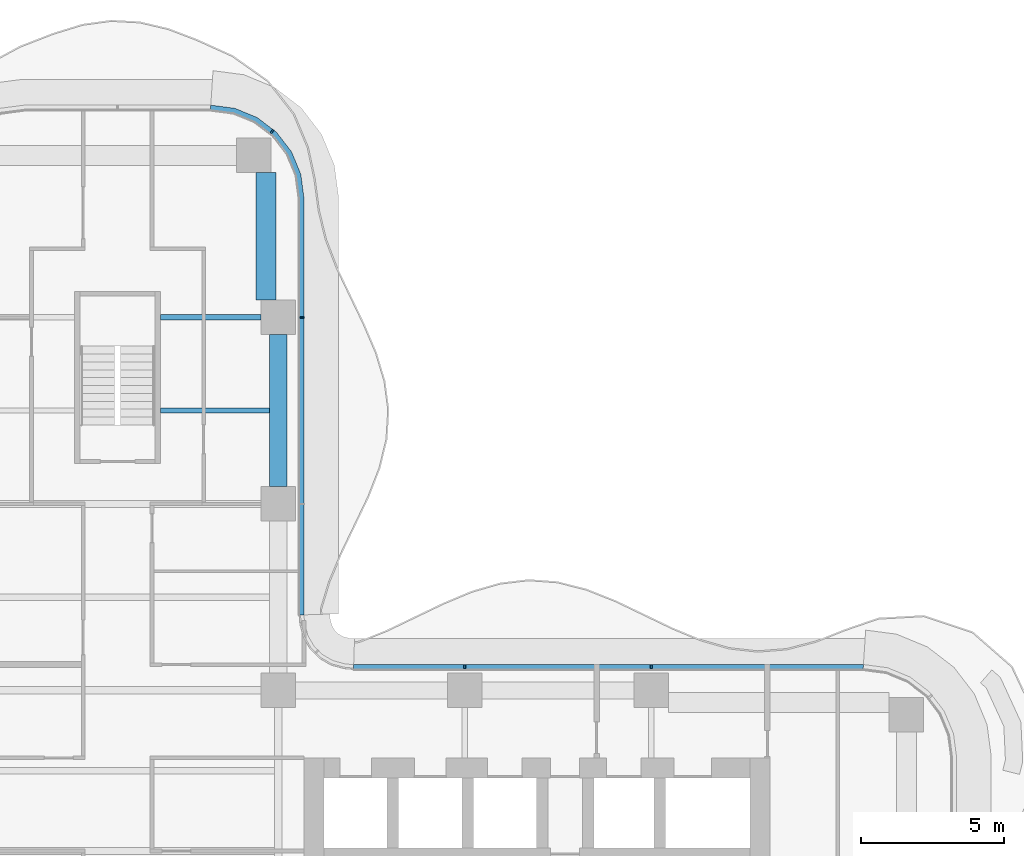
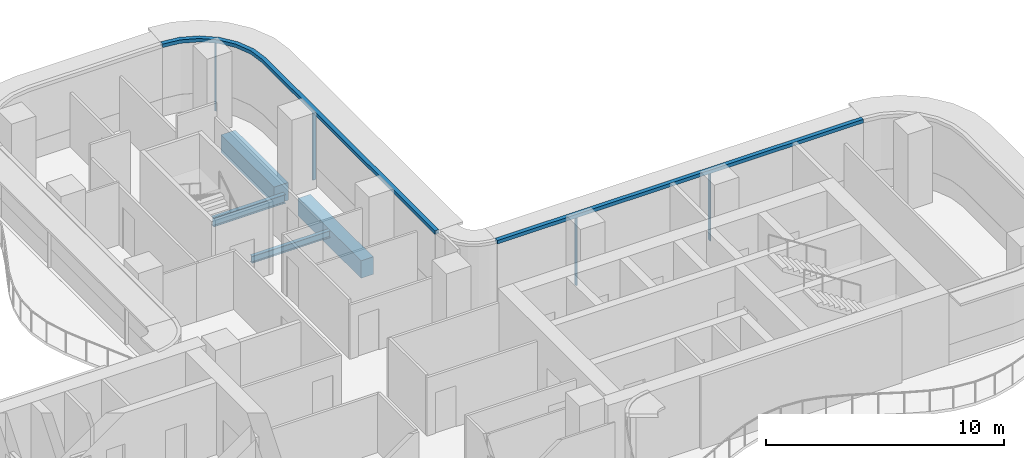
# One storey, part 8 of 18: 6 members, 4 beams, 2 elements without a shape of their own.
"""IFC4 building model written with IfcOpenShell, lengths in metres."""

from ifc_helpers import new_model, si_unit, direction, frame, origin, origin_2d, place, context, subcontext, project, spatial, polyline, rectangle, i_section, outline, extrude, source, transform, mapped, material, layer, layer_set, material_profile, profile_set, type_object, element, aggregate, save


model = new_model("IFC4")

# Units and contexts
model_context = context("Model", 3, precision=1e-05, world=origin(), true_north=direction((0.0, 1.0)))
body_context = subcontext(model_context, "Body", "Model", "MODEL_VIEW")
ifc_project = project(units=[si_unit("LENGTHUNIT", "METRE"), si_unit("AREAUNIT", "SQUARE_METRE"), si_unit("VOLUMEUNIT", "CUBIC_METRE"), si_unit("PLANEANGLEUNIT", "RADIAN"), si_unit("MASSUNIT", "GRAM", prefix="KILO")], contexts=[model_context])

# Site, building, storey
site_placement = place(None, origin())
site = spatial("IfcSite", under=ifc_project, at=site_placement, CompositionType="ELEMENT")
building_placement = place(site_placement, origin())
building = spatial("IfcBuilding", under=site, at=building_placement, Name="Trellis Farm Tower", CompositionType="ELEMENT")
storey_placement = place(building_placement, frame((0.0, 0.0, 177.60009765625)))
storey = spatial("IfcBuildingStorey", under=building, at=storey_placement, Name="L38", CompositionType="ELEMENT", Elevation=177.60009765625)

# Beams
ifc_material_1 = material(Name="Steel S355", Category="steel")
ifc_material_profile_1 = material_profile(ifc_material_1, i_section(OverallWidth=0.1904296875, OverallDepth=0.45703125, WebThickness=0.009033203125, FlangeThickness=0.014404296875, FilletRadius=0.01025390625, at=origin_2d()), Name="UB 457x191x74")
ifc_profile_set_1 = profile_set([ifc_material_profile_1], Name="Steel S355")
beam_type_1 = type_object("IfcBeamType", Name="UB 457x191x74", PredefinedType="BEAM", material=ifc_profile_set_1)
shared_shape_1 = source(origin(), body_context, "Body", "SweptSolid", [
    extrude(i_section(OverallWidth=0.1904296875, OverallDepth=0.45703125, WebThickness=0.009033203125, FlangeThickness=0.014404296875, FilletRadius=0.01025390625, at=origin_2d()), origin(), (0.0, 0.0, 1.0), 3.5),
])
beam_1_placement = place(storey_placement, frame((1.5, 18.60009765625, -0.4287109375), z_axis=(1.0, 0.0, 0.0), x_axis=(0.0, 1.0, 0.0)))
element("IfcBeam", 1, at=beam_1_placement, inside=storey, type_object=beam_type_1, Name="Girder", PredefinedType="BEAM", context=body_context, shape_type="MappedRepresentation", body=[
    mapped(shared_shape_1, transform((0.0, 0.0, 0.0))),
])
ifc_material_2 = material(Name="Concrete C60/75", Category="concrete")
ifc_material_profile_2 = material_profile(ifc_material_2, rectangle(XDim=0.60009765625, YDim=0.89990234375, at=origin_2d()), Name="RC spandrel beam 600x900 C60/75")
ifc_profile_set_2 = profile_set([ifc_material_profile_2], Name="Concrete C60/75")
beam_type_2 = type_object("IfcBeamType", Name="RC spandrel beam 600x900 C60/75", PredefinedType="SPANDREL", material=ifc_profile_set_2)
shared_shape_2 = source(origin(), body_context, "Body", "SweptSolid", [
    extrude(rectangle(XDim=0.60009765625, YDim=0.89990234375, at=origin_2d()), origin(), (0.0, 0.0, 1.0), 5.300048828125),
])
beam_2_placement = place(storey_placement, frame((5.60009765625, 12.699951171875, -0.650146484375), z_axis=(0.0, 1.0, 0.0), x_axis=(-1.0, 0.0, 0.0)))
element("IfcBeam", 2, at=beam_2_placement, inside=storey, type_object=beam_type_2, Name="Girder", PredefinedType="SPANDREL", context=body_context, shape_type="MappedRepresentation", body=[
    mapped(shared_shape_2, transform((0.0, 0.0, 0.0))),
])
ifc_material_profile_3 = material_profile(ifc_material_2, rectangle(XDim=0.699951171875, YDim=0.89990234375, at=origin_2d()), Name="RC spandrel beam 700x900 C60/75")
ifc_profile_set_3 = profile_set([ifc_material_profile_3], Name="Concrete C60/75")
beam_type_3 = type_object("IfcBeamType", Name="RC spandrel beam 700x900 C60/75", PredefinedType="SPANDREL", material=ifc_profile_set_3)
shared_shape_3 = source(origin(), body_context, "Body", "SweptSolid", [
    extrude(rectangle(XDim=0.699951171875, YDim=0.89990234375, at=origin_2d()), origin(), (0.0, 0.0, 1.0), 4.449951171875),
])
beam_3_placement = place(storey_placement, frame((5.175048828125, 19.199951171875, -0.650146484375), z_axis=(0.0, 1.0, 0.0), x_axis=(-1.0, 0.0, 0.0)))
element("IfcBeam", 3, at=beam_3_placement, inside=storey, type_object=beam_type_3, Name="Girder", PredefinedType="SPANDREL", context=body_context, shape_type="MappedRepresentation", body=[
    mapped(shared_shape_3, transform((0.0, 0.0, 0.0))),
])
ifc_material_profile_4 = material_profile(ifc_material_1, i_section(OverallWidth=0.17138671875, OverallDepth=0.35498046875, WebThickness=0.00732421875, FlangeThickness=0.011474609375, FilletRadius=0.01025390625, at=origin_2d()), Name="UB 356x171x51")
ifc_profile_set_4 = profile_set([ifc_material_profile_4], Name="Steel S355")
beam_type_4 = type_object("IfcBeamType", Name="UB 356x171x51 joist", PredefinedType="JOIST", material=ifc_profile_set_4)
shared_shape_4 = source(origin(), body_context, "Body", "SweptSolid", [
    extrude(i_section(OverallWidth=0.17138671875, OverallDepth=0.35498046875, WebThickness=0.00732421875, FlangeThickness=0.011474609375, FilletRadius=0.01025390625, at=origin_2d()), origin(), (0.0, 0.0, 1.0), 3.800048828125),
])
beam_4_placement = place(storey_placement, frame((1.5, 15.35009765625, -0.377685546875), z_axis=(1.0, 0.0, 0.0), x_axis=(0.0, 1.0, 0.0)))
element("IfcBeam", 4, at=beam_4_placement, inside=storey, type_object=beam_type_4, Name="Floor beam", PredefinedType="JOIST", context=body_context, shape_type="MappedRepresentation", body=[
    mapped(shared_shape_4, transform((0.0, 0.0, 0.0))),
])

# Curtain wall, member
ifc_material_3 = material(Name="Aluminium and glass curtain wall", Category="aluminium")
ifc_layer_1 = layer(ifc_material_3, 0.18994140625)
ifc_layer_set_1 = layer_set([ifc_layer_1], Name="RIBBON CURTAIN WALL CW1")
curtain_wall_type = type_object("IfcCurtainWallType", Name="RIBBON CURTAIN WALL CW1", PredefinedType="NOTDEFINED", material=ifc_layer_set_1)
placement_1 = place(storey_placement, origin())
curtain_wall_1 = element("IfcCurtainWall", 5, at=placement_1, inside=storey, type_object=curtain_wall_type, Name="CW1 009", PredefinedType="NOTDEFINED")
ifc_material_4 = material(Name="Aluminium extrusion 6063-T6", Category="aluminium")
ifc_layer_2 = layer(ifc_material_4, 0.199951171875)
ifc_layer_set_2 = layer_set([ifc_layer_2], Name="Aluminium extrusion 6063-T6")
member_type_1 = type_object("IfcMemberType", Name="CW1 TRANSOM 200x180", PredefinedType="USERDEFINED", material=ifc_layer_set_2)
shared_shape_5 = source(origin(), body_context, "Body", "SweptSolid", [
    extrude(outline(polyline([(6.5, 8.2314453125), (6.5, 22.75), (6.38916015625, 23.591064453125), (6.064697265625, 24.375), (5.548095703125, 25.048095703125), (4.875, 25.564697265625), (4.091064453125, 25.88916015625), (3.25, 26.0), (3.23681640625, 25.800048828125), (4.0390625, 25.6943359375), (4.774169921875, 25.389892578125), (5.405517578125, 24.905517578125), (5.889892578125, 24.274169921875), (6.1943359375, 23.5390625), (6.300048828125, 22.73681640625), (6.300048828125, 8.224853515625), (6.5, 8.2314453125)])), origin(), (0.0, 0.0, 1.0), 0.179931640625),
])
placement_2 = place(storey_placement, frame((0.0, 0.0, 3.52001953125)))
member_1 = element("IfcMember", 6, at=placement_2, type_object=member_type_1, Name="TR1 009", ObjectType="TRANSOM", PredefinedType="USERDEFINED", context=body_context, shape_type="MappedRepresentation", body=[
    mapped(shared_shape_5, transform((0.0, 0.0, 0.0))),
])

# Curtain wall, members
curtain_wall_2 = element("IfcCurtainWall", 7, at=placement_1, inside=storey, type_object=curtain_wall_type, Name="CW1 008", PredefinedType="NOTDEFINED")
shared_shape_6 = source(origin(), body_context, "Body", "SweptSolid", [
    extrude(outline(polyline([(26.0, 6.5), (8.2314453125, 6.5), (8.224853515625, 6.300048828125), (25.98681640625, 6.300048828125), (26.0, 6.5)])), origin(), (0.0, 0.0, 1.0), 0.179931640625),
])
member_2 = element("IfcMember", 8, at=placement_2, type_object=member_type_1, Name="TR1 008", ObjectType="TRANSOM", PredefinedType="USERDEFINED", context=body_context, shape_type="MappedRepresentation", body=[
    mapped(shared_shape_6, transform((0.0, 0.0, 0.0))),
])
ifc_material_profile_5 = material_profile(ifc_material_4, rectangle(XDim=0.06005859375, YDim=0.14990234375, at=origin_2d()), Name="MULLION 60x150")
ifc_profile_set_5 = profile_set([ifc_material_profile_5], Name="Aluminium extrusion 6063-T6")
member_type_2 = type_object("IfcMemberType", Name="CW1 MULLION 60x150", PredefinedType="MULLION", material=ifc_profile_set_5)
shared_shape_7 = source(origin(), body_context, "Body", "SweptSolid", [
    extrude(rectangle(XDim=0.06005859375, YDim=0.14990234375, at=origin_2d()), origin(), (0.0, 0.0, 1.0), 3.52001953125),
])
member_3_placement = place(storey_placement, frame((18.60009765625, 6.425048828125, 0.0), z_axis=(0.0, 0.0, 1.0), x_axis=(-1.0, 0.0, 0.0)))
member_3 = element("IfcMember", 9, at=member_3_placement, type_object=member_type_2, Name="MU1 008-01", PredefinedType="MULLION", context=body_context, shape_type="MappedRepresentation", body=[
    mapped(shared_shape_7, transform((0.0, 0.0, 0.0))),
])
member_4_placement = place(storey_placement, frame((12.10009765625, 6.425048828125, 0.0), z_axis=(0.0, 0.0, 1.0), x_axis=(-1.0, 0.0, 0.0)))
member_4 = element("IfcMember", 10, at=member_4_placement, type_object=member_type_2, Name="MU1 008-02", PredefinedType="MULLION", context=body_context, shape_type="MappedRepresentation", body=[
    mapped(shared_shape_7, transform((0.0, 0.0, 0.0))),
])
aggregate(curtain_wall_2, [member_3, member_4, member_2])

# Member
member_5_placement = place(storey_placement, frame((6.425048828125, 18.60009765625, 0.0), z_axis=(0.0, 0.0, 1.0), x_axis=(0.0, 1.0, 0.0)))
member_5 = element("IfcMember", 11, at=member_5_placement, type_object=member_type_2, Name="MU1 009-02", PredefinedType="MULLION", context=body_context, shape_type="MappedRepresentation", body=[
    mapped(shared_shape_7, transform((0.0, 0.0, 0.0))),
])

member_6_placement = place(storey_placement, frame((5.385498046875, 25.078369140625, 0.0), z_axis=(0.0, 0.0, 1.0), x_axis=(-0.793353340291, 0.608761429009, 0.0)))
member_6 = element("IfcMember", 12, at=member_6_placement, type_object=member_type_2, Name="MU1 009-03", PredefinedType="MULLION", context=body_context, shape_type="MappedRepresentation", body=[
    mapped(shared_shape_7, transform((0.0, 0.0, 0.0))),
])

aggregate(curtain_wall_1, [member_5, member_6, member_1])

save(model, "model.ifc")
